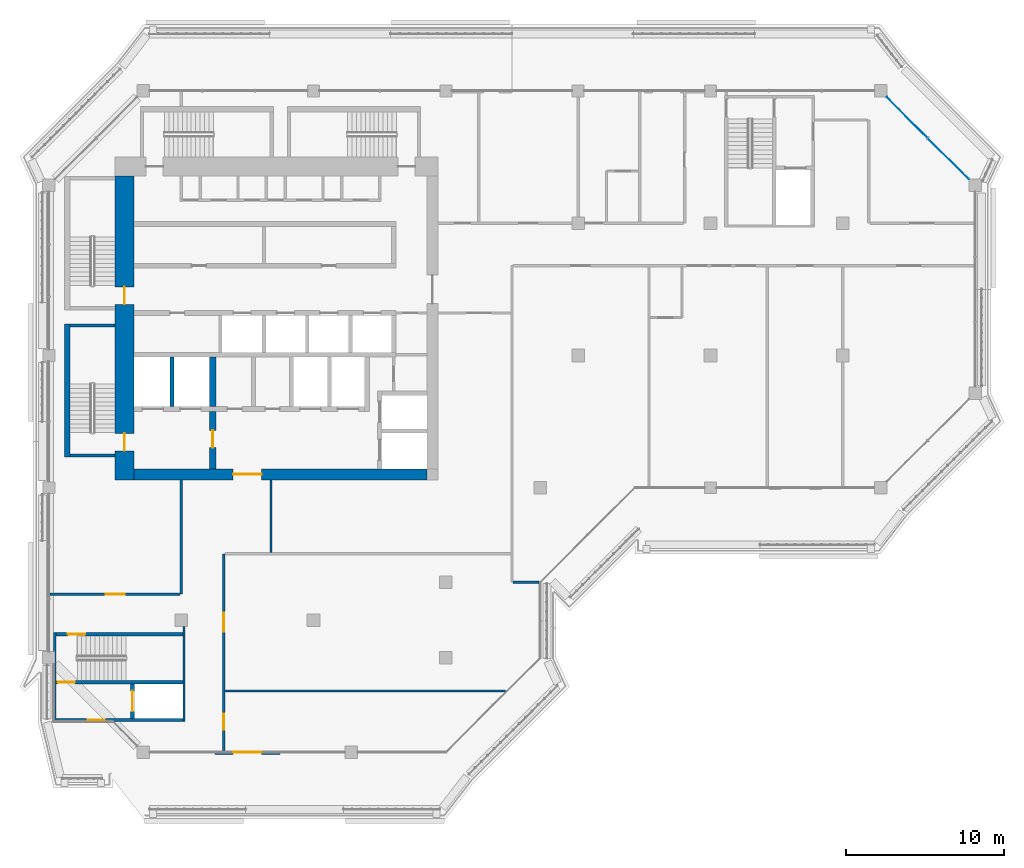
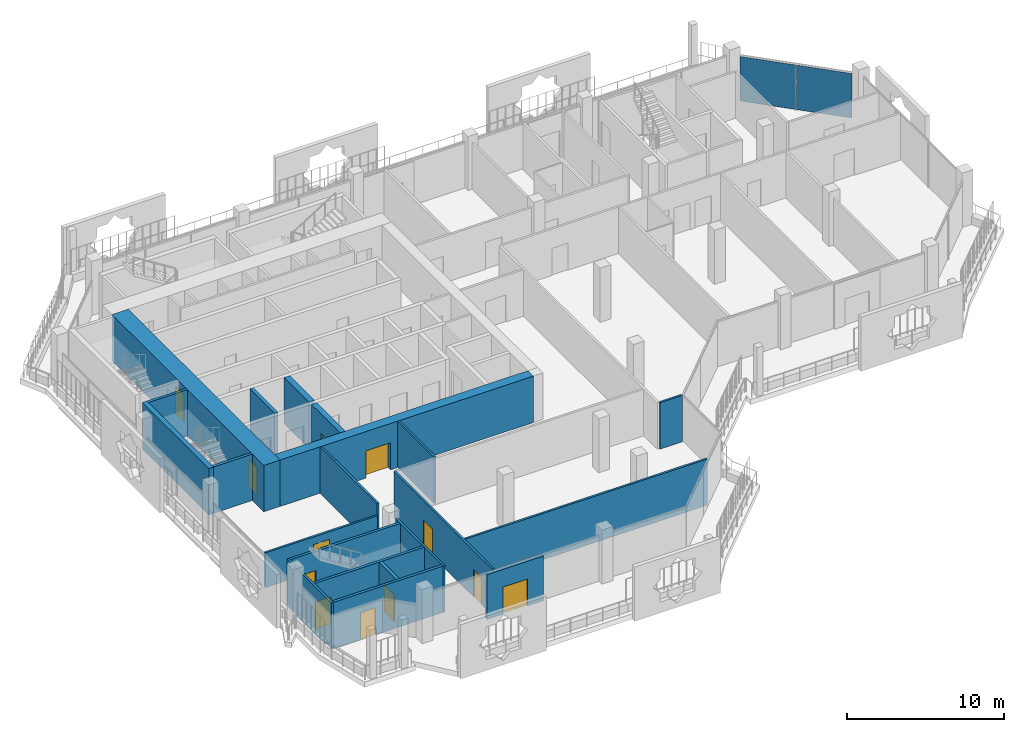
# One storey, part 10 of 21: 21 walls, 12 doors, 2 plates, 12 openings, 1 element without a shape of its own.
"""IFC4 building model written with IfcOpenShell, lengths in metres."""

from ifc_helpers import new_model, si_unit, direction, frame, frame_2d, origin, origin_2d, place, context, subcontext, project, spatial, rectangle, extrude, material, layer, layer_set, type_object, element, fill, aggregate, save


model = new_model("IFC4")

# Units and contexts
model_context = context("Model", 3, precision=1e-05, world=origin(), true_north=direction((0.0, 1.0)))
body_context = subcontext(model_context, "Body", "Model", "MODEL_VIEW")
ifc_project = project(units=[si_unit("LENGTHUNIT", "METRE"), si_unit("AREAUNIT", "SQUARE_METRE"), si_unit("VOLUMEUNIT", "CUBIC_METRE"), si_unit("PLANEANGLEUNIT", "RADIAN"), si_unit("MASSUNIT", "GRAM", prefix="KILO")], contexts=[model_context])

# Site, building, storey
site_placement = place(None, origin())
site = spatial("IfcSite", under=ifc_project, at=site_placement, CompositionType="ELEMENT")
building_placement = place(site_placement, origin())
building = spatial("IfcBuilding", under=site, at=building_placement, Name="Kawkab Arch Medical Tower", CompositionType="ELEMENT")
storey_placement = place(building_placement, frame((0.0, 0.0, 302.800048828125)))
storey = spatial("IfcBuildingStorey", under=building, at=storey_placement, Name="L70", CompositionType="ELEMENT", Elevation=302.800048828125)

# Curtain wall, plates
ifc_material_1 = material(Name="Bronze anodised aluminium curtain wall frame", Category="aluminium")
ifc_layer_1 = layer(ifc_material_1, 0.159912109375)
ifc_layer_set_1 = layer_set([ifc_layer_1], Name="Bronze anodised aluminium curtain wall frame")
curtain_wall_type = type_object("IfcCurtainWallType", Name="CW2 chamfer curtain wall", PredefinedType="NOTDEFINED", material=ifc_layer_set_1)
curtain_wall_placement = place(storey_placement, origin())
curtain_wall = element("IfcCurtainWall", 1, at=curtain_wall_placement, inside=storey, type_object=curtain_wall_type, Name="CW2 Chamfer curtain wall R14", PredefinedType="NOTDEFINED")
ifc_material_2 = material(Name="Tinted insulating glass, bronze low-e coating", Category="glass")
ifc_layer_2 = layer(ifc_material_2, 0.031982421875)
ifc_layer_set_2 = layer_set([ifc_layer_2], Name="Tinted insulating glass, bronze low-e coating")
plate_type = type_object("IfcPlateType", Name="CW2 glazing unit 32", PredefinedType="CURTAIN_PANEL", material=ifc_layer_set_2)
plate_1_placement = place(storey_placement, frame((57.110595703125, -4.310546875, 0.0), z_axis=(0.0, 0.0, 1.0), x_axis=(-0.707106781187, 0.707106781187, 0.0)))
plate_1 = element("IfcPlate", 2, at=plate_1_placement, type_object=plate_type, Name="CW2 glazing unit 1.1", PredefinedType="CURTAIN_PANEL", context=body_context, shape_type="SweptSolid", body=[
    extrude(rectangle(XDim=3.64697265625, YDim=0.031982421875, at=origin_2d()), origin(), (0.0, 0.0, 1.0), 3.4599609375),
])
plate_2_placement = place(storey_placement, frame((54.489501953125, -1.689453125, 0.0), z_axis=(0.0, 0.0, 1.0), x_axis=(-0.707106781187, 0.707106781187, 0.0)))
plate_2 = element("IfcPlate", 3, at=plate_2_placement, type_object=plate_type, Name="CW2 glazing unit 1.2", PredefinedType="CURTAIN_PANEL", context=body_context, shape_type="SweptSolid", body=[
    extrude(rectangle(XDim=3.64697265625, YDim=0.031982421875, at=origin_2d()), origin(), (0.0, 0.0, 1.0), 3.4599609375),
])
aggregate(curtain_wall, [plate_1, plate_2])

# Wall, openings, doors
ifc_material_3 = material(Name="Concrete C50/60", Category="concrete")
ifc_layer_3 = layer(ifc_material_3, 1.199951171875)
ifc_layer_set_3 = layer_set([ifc_layer_3], Name="Concrete C50/60")
wall_type_1 = type_object("IfcWallType", Name="Core ring wall 1200 C50/60", PredefinedType="SHEAR", material=ifc_layer_set_3)
wall_1_placement = place(storey_placement, frame((4.800048828125, -24.699951171875, 0.0), z_axis=(0.0, 0.0, 1.0), x_axis=(0.0, 1.0, 0.0)))
wall_1 = element("IfcWall", 4, at=wall_1_placement, inside=storey, type_object=wall_type_1, Name="L70 core wall", PredefinedType="SHEAR", context=body_context, shape_type="SweptSolid", body=[
    extrude(rectangle(XDim=19.300048828125, YDim=1.199951171875, at=frame_2d((9.64990234375, 0.0))), origin(), (0.0, 0.0, 1.0), 3.599853515625),
])
opening_1_placement = place(wall_1_placement, frame((11.14990234375, 0.0, 0.0)))
opening_1 = element("IfcOpeningElement", 5, at=opening_1_placement, cuts=wall_1, Name="Opening SD", PredefinedType="OPENING", context=body_context, shape_type="SweptSolid", body=[
    extrude(rectangle(XDim=1.10009765625, YDim=2.10009765625, at=frame_2d((0.550048828125, 1.050048828125))), frame((0.0, 0.60986328125, 0.0), z_axis=(0.0, -1.0, 0.0), x_axis=(1.0, 0.0, 0.0)), (0.0, 0.0, 1.0), 1.219970703125),
])
opening_2_placement = place(wall_1_placement, frame((1.85009765625, 0.0, 0.0)))
opening_2 = element("IfcOpeningElement", 6, at=opening_2_placement, cuts=wall_1, Name="Opening SD", PredefinedType="OPENING", context=body_context, shape_type="SweptSolid", body=[
    extrude(rectangle(XDim=1.10009765625, YDim=2.10009765625, at=frame_2d((0.550048828125, 1.050048828125))), frame((0.0, 0.60986328125, 0.0), z_axis=(0.0, -1.0, 0.0), x_axis=(1.0, 0.0, 0.0)), (0.0, 0.0, 1.0), 1.219970703125),
])
ifc_material_4 = material(Name="Hollow metal fire door leaf")
door_type_1 = type_object("IfcDoorType", Name="Exit stair door 1100", OperationType="SINGLE_SWING_LEFT", PredefinedType="DOOR", material=ifc_material_4)
door_1_placement = place(opening_1_placement, origin())
door_1 = element("IfcDoor", 7, at=door_1_placement, inside=storey, type_object=door_type_1, Name="L70 Exit stair ST1 door", OperationType="SINGLE_SWING_LEFT", OverallHeight=2.10009765625, OverallWidth=1.10009765625, PredefinedType="DOOR", context=body_context, shape_type="SweptSolid", body=[
    extrude(rectangle(XDim=1.10009765625, YDim=2.10009765625, at=frame_2d((0.550048828125, 1.050048828125))), frame((0.0, 0.02490234375, 0.0), z_axis=(0.0, -1.0, 0.0), x_axis=(1.0, 0.0, 0.0)), (0.0, 0.0, 1.0), 0.050048828125),
])
fill(opening_1, door_1)
door_2_placement = place(opening_2_placement, origin())
door_2 = element("IfcDoor", 8, at=door_2_placement, inside=storey, type_object=door_type_1, Name="L70 Exit stair ST2 door", OperationType="SINGLE_SWING_LEFT", OverallHeight=2.10009765625, OverallWidth=1.10009765625, PredefinedType="DOOR", context=body_context, shape_type="SweptSolid", body=[
    extrude(rectangle(XDim=1.10009765625, YDim=2.10009765625, at=frame_2d((0.550048828125, 1.050048828125))), frame((0.0, 0.02490234375, 0.0), z_axis=(0.0, -1.0, 0.0), x_axis=(1.0, 0.0, 0.0)), (0.0, 0.0, 1.0), 0.050048828125),
])
fill(opening_2, door_2)

# Wall, opening, door
ifc_material_5 = material(Name="Concrete C50/60", Category="concrete")
ifc_layer_4 = layer(ifc_material_5, 0.699951171875)
ifc_layer_set_4 = layer_set([ifc_layer_4], Name="Concrete C50/60")
wall_type_2 = type_object("IfcWallType", Name="Core ring wall 700 C50/60", PredefinedType="SHEAR", material=ifc_layer_set_4)
wall_2_placement = place(storey_placement, frame((5.39990234375, -24.35009765625, 0.0), z_axis=(0.0, 0.0, 1.0), x_axis=(1.0, 0.0, 0.0)))
wall_2 = element("IfcWall", 9, at=wall_2_placement, inside=storey, type_object=wall_type_2, Name="L70 core wall", PredefinedType="SHEAR", context=body_context, shape_type="SweptSolid", body=[
    extrude(rectangle(XDim=18.60009765625, YDim=0.699951171875, at=frame_2d((9.300048828125, 0.0))), origin(), (0.0, 0.0, 1.0), 3.599853515625),
])
opening_3_placement = place(wall_2_placement, frame((6.300048828125, 0.0, 0.0)))
opening_3 = element("IfcOpeningElement", 10, at=opening_3_placement, cuts=wall_2, Name="Opening PD", PredefinedType="OPENING", context=body_context, shape_type="SweptSolid", body=[
    extrude(rectangle(XDim=1.800048828125, YDim=2.10009765625, at=frame_2d((0.89990234375, 1.050048828125))), frame((0.0, 0.35986328125, 0.0), z_axis=(0.0, -1.0, 0.0), x_axis=(1.0, 0.0, 0.0)), (0.0, 0.0, 1.0), 0.719970703125),
])
ifc_material_6 = material(Name="Hollow metal fire door leaf")
door_type_2 = type_object("IfcDoorType", Name="Core entrance doors 1800", OperationType="DOUBLE_DOOR_SINGLE_SWING", PredefinedType="DOOR", material=ifc_material_6)
door_3_placement = place(opening_3_placement, origin())
door_3 = element("IfcDoor", 11, at=door_3_placement, inside=storey, type_object=door_type_2, Name="L70 South entrance doors", OperationType="DOUBLE_DOOR_SINGLE_SWING", OverallHeight=2.10009765625, OverallWidth=1.800048828125, PredefinedType="DOOR", context=body_context, shape_type="SweptSolid", body=[
    extrude(rectangle(XDim=1.800048828125, YDim=2.10009765625, at=frame_2d((0.89990234375, 1.050048828125))), frame((0.0, 0.02490234375, 0.0), z_axis=(0.0, -1.0, 0.0), x_axis=(1.0, 0.0, 0.0)), (0.0, 0.0, 1.0), 0.050048828125),
])
fill(opening_3, door_3)

# Wall
ifc_material_7 = material(Name="Concrete C60/75", Category="concrete")
ifc_layer_5 = layer(ifc_material_7, 0.25)
ifc_layer_set_5 = layer_set([ifc_layer_5], Name="Concrete C60/75")
wall_type_3 = type_object("IfcWallType", Name="Core shear wall 250 C60/75", PredefinedType="SHEAR", material=ifc_layer_set_5)
wall_3_placement = place(storey_placement, frame((7.800048828125, -20.050048828125, 0.0), z_axis=(0.0, 0.0, 1.0), x_axis=(0.0, 1.0, 0.0)))
element("IfcWall", 12, at=wall_3_placement, inside=storey, type_object=wall_type_3, Name="L70 core shear wall", PredefinedType="SHEAR", context=body_context, shape_type="SweptSolid", body=[
    extrude(rectangle(XDim=3.150146484375, YDim=0.25, at=frame_2d((1.5751953125, 0.0))), origin(), (0.0, 0.0, 1.0), 3.599853515625),
])

# Wall, opening, door
wall_4_placement = place(storey_placement, frame((5.300048828125, -39.85009765625, 0.0), z_axis=(0.0, 0.0, 1.0), x_axis=(0.0, 1.0, 0.0)))
wall_4 = element("IfcWall", 13, at=wall_4_placement, inside=storey, type_object=wall_type_3, Name="L70 core shear wall", PredefinedType="SHEAR", context=body_context, shape_type="SweptSolid", body=[
    extrude(rectangle(XDim=2.2001953125, YDim=0.25, at=frame_2d((1.10009765625, 0.0))), origin(), (0.0, 0.0, 1.0), 3.599853515625),
])
opening_4_placement = place(wall_4_placement, frame((0.449951171875, 0.0, 0.0)))
opening_4 = element("IfcOpeningElement", 14, at=opening_4_placement, cuts=wall_4, Name="Opening LD2", PredefinedType="OPENING", context=body_context, shape_type="SweptSolid", body=[
    extrude(rectangle(XDim=1.300048828125, YDim=2.10009765625, at=frame_2d((0.64990234375, 1.050048828125))), frame((0.0, 0.135009765625, 0.0), z_axis=(0.0, -1.0, 0.0), x_axis=(1.0, 0.0, 0.0)), (0.0, 0.0, 1.0), 0.27001953125),
])
ifc_material_8 = material(Name="Stainless steel lift door leaf", Category="steel")
door_type_3 = type_object("IfcDoorType", Name="Lift landing door 1300", OperationType="DOUBLE_DOOR_SLIDING", PredefinedType="DOOR", material=ifc_material_8)
door_4_placement = place(opening_4_placement, origin())
door_4 = element("IfcDoor", 15, at=door_4_placement, inside=storey, type_object=door_type_3, Name="L70 Lift landing door SV2", OperationType="DOUBLE_DOOR_SLIDING", OverallHeight=2.10009765625, OverallWidth=1.300048828125, PredefinedType="DOOR", context=body_context, shape_type="SweptSolid", body=[
    extrude(rectangle(XDim=1.300048828125, YDim=2.10009765625, at=frame_2d((0.64990234375, 1.050048828125))), frame((0.0, 0.02490234375, 0.0), z_axis=(0.0, -1.0, 0.0), x_axis=(1.0, 0.0, 0.0)), (0.0, 0.0, 1.0), 0.050048828125),
])
fill(opening_4, door_4)

ifc_material_9 = material(Name="Concrete C60/75", Category="concrete")
ifc_layer_6 = layer(ifc_material_9, 0.39990234375)
ifc_layer_set_6 = layer_set([ifc_layer_6], Name="Concrete C60/75")
wall_type_4 = type_object("IfcWallType", Name="Core shear wall 400 C60/75", PredefinedType="SHEAR", material=ifc_layer_set_6)
wall_5_placement = place(storey_placement, frame((10.39990234375, -24.0, 0.0), z_axis=(0.0, 0.0, 1.0), x_axis=(0.0, 1.0, 0.0)))
wall_5 = element("IfcWall", 16, at=wall_5_placement, inside=storey, type_object=wall_type_4, Name="L70 core shear wall", PredefinedType="SHEAR", context=body_context, shape_type="SweptSolid", body=[
    extrude(rectangle(XDim=3.64990234375, YDim=0.39990234375, at=frame_2d((1.824951171875, 0.0))), origin(), (0.0, 0.0, 1.0), 3.599853515625),
])
opening_5_placement = place(wall_5_placement, frame((1.35009765625, 0.0, 0.0)))
opening_5 = element("IfcOpeningElement", 17, at=opening_5_placement, cuts=wall_5, Name="Opening FD", PredefinedType="OPENING", context=body_context, shape_type="SweptSolid", body=[
    extrude(rectangle(XDim=1.10009765625, YDim=2.10009765625, at=frame_2d((0.550048828125, 1.050048828125))), frame((0.0, 0.2099609375, 0.0), z_axis=(0.0, -1.0, 0.0), x_axis=(1.0, 0.0, 0.0)), (0.0, 0.0, 1.0), 0.419921875),
])
ifc_material_10 = material(Name="Hollow metal fire door leaf")
door_type_4 = type_object("IfcDoorType", Name="Firefighting lobby door 1100", OperationType="SINGLE_SWING_LEFT", PredefinedType="DOOR", material=ifc_material_10)
door_5_placement = place(opening_5_placement, origin())
door_5 = element("IfcDoor", 18, at=door_5_placement, inside=storey, type_object=door_type_4, Name="L70 Firefighting lobby door", OperationType="SINGLE_SWING_LEFT", OverallHeight=2.10009765625, OverallWidth=1.10009765625, PredefinedType="DOOR", context=body_context, shape_type="SweptSolid", body=[
    extrude(rectangle(XDim=1.10009765625, YDim=2.10009765625, at=frame_2d((0.550048828125, 1.050048828125))), frame((0.0, 0.02490234375, 0.0), z_axis=(0.0, -1.0, 0.0), x_axis=(1.0, 0.0, 0.0)), (0.0, 0.0, 1.0), 0.050048828125),
])
fill(opening_5, door_5)

# Wall
wall_6_placement = place(storey_placement, frame((10.39990234375, -20.050048828125, 0.0), z_axis=(0.0, 0.0, 1.0), x_axis=(0.0, 1.0, 0.0)))
element("IfcWall", 19, at=wall_6_placement, inside=storey, type_object=wall_type_4, Name="L70 core shear wall", PredefinedType="SHEAR", context=body_context, shape_type="SweptSolid", body=[
    extrude(rectangle(XDim=3.150146484375, YDim=0.39990234375, at=frame_2d((1.5751953125, 0.0))), origin(), (0.0, 0.0, 1.0), 3.599853515625),
])

# Wall, opening, door
ifc_material_11 = material(Name="Bronze clad insulated wall panel")
ifc_layer_7 = layer(ifc_material_11, 0.25)
ifc_layer_set_7 = layer_set([ifc_layer_7], Name="Bronze clad insulated wall panel")
wall_type_5 = type_object("IfcWallType", Name="External wall bay 250", PredefinedType="SOLIDWALL", material=ifc_layer_set_7)
wall_7_placement = place(storey_placement, frame((10.533447265625, -42.0, 0.0), z_axis=(0.0, 0.0, 1.0), x_axis=(1.0, 0.0, 0.0)))
wall_7 = element("IfcWall", 20, at=wall_7_placement, inside=storey, type_object=wall_type_5, Name="External wall bay L70.R07.1.2", PredefinedType="SOLIDWALL", context=body_context, shape_type="SweptSolid", body=[
    extrude(rectangle(XDim=4.13330078125, YDim=0.25, at=frame_2d((2.066650390625, 0.0))), origin(), (0.0, 0.0, 1.0), 3.47998046875),
])
opening_6_placement = place(wall_7_placement, frame((1.166748046875, 0.0, 0.0)))
opening_6 = element("IfcOpeningElement", 21, at=opening_6_placement, cuts=wall_7, Name="Opening W70-701", PredefinedType="OPENING", context=body_context, shape_type="SweptSolid", body=[
    extrude(rectangle(XDim=1.800048828125, YDim=2.10009765625, at=frame_2d((0.89990234375, 1.050048828125))), frame((0.0, 0.135009765625, 0.0), z_axis=(0.0, -1.0, 0.0), x_axis=(1.0, 0.0, 0.0)), (0.0, 0.0, 1.0), 0.27001953125),
])
ifc_material_12 = material(Name="Bronze anodised aluminium door with tinted glass", Category="aluminium")
door_type_5 = type_object("IfcDoorType", Name="Double external door 1800 x 2100", OperationType="DOUBLE_DOOR_SINGLE_SWING", PredefinedType="DOOR", material=ifc_material_12)
door_6_placement = place(opening_6_placement, origin())
door_6 = element("IfcDoor", 22, at=door_6_placement, inside=storey, type_object=door_type_5, Name="External door L70.R07.1.2", OperationType="DOUBLE_DOOR_SINGLE_SWING", OverallHeight=2.10009765625, OverallWidth=1.800048828125, PredefinedType="DOOR", context=body_context, shape_type="SweptSolid", body=[
    extrude(rectangle(XDim=1.800048828125, YDim=2.10009765625, at=frame_2d((0.89990234375, 1.050048828125))), frame((0.0, 0.02490234375, 0.0), z_axis=(0.0, -1.0, 0.0), x_axis=(1.0, 0.0, 0.0)), (0.0, 0.0, 1.0), 0.050048828125),
])
fill(opening_6, door_6)

# Wall
ifc_material_13 = material(Name="Gypsum board partition on steel studs, mineral wool", Category="steel")
ifc_layer_8 = layer(ifc_material_13, 0.14990234375)
ifc_layer_set_8 = layer_set([ifc_layer_8], Name="Gypsum board partition on steel studs, mineral wool")
wall_type_6 = type_object("IfcWallType", Name="Partition 150", PredefinedType="PARTITIONING", material=ifc_layer_set_8)
wall_8_placement = place(storey_placement, frame((11.175048828125, -38.10009765625, 0.0), z_axis=(0.0, 0.0, 1.0), x_axis=(1.0, 0.0, 0.0)))
element("IfcWall", 23, at=wall_8_placement, inside=storey, type_object=wall_type_6, Name="Partition 150 w005", PredefinedType="PARTITIONING", context=body_context, shape_type="SweptSolid", body=[
    extrude(rectangle(XDim=17.81201171875, YDim=0.14990234375, at=frame_2d((8.906005859375, 0.0))), origin(), (0.0, 0.0, 1.0), 3.599853515625),
])

# Wall, opening, door
wall_9_placement = place(storey_placement, frame((0.080078125, -31.95703125, 0.0), z_axis=(0.0, 0.0, 1.0), x_axis=(1.0, 0.0, 0.0)))
wall_9 = element("IfcWall", 24, at=wall_9_placement, inside=storey, type_object=wall_type_6, Name="Partition 150 w006", PredefinedType="PARTITIONING", context=body_context, shape_type="SweptSolid", body=[
    extrude(rectangle(XDim=8.244873046875, YDim=0.14990234375, at=frame_2d((4.12255859375, 0.0))), origin(), (0.0, 0.0, 1.0), 2.699951171875),
])
opening_7_placement = place(wall_9_placement, frame((3.52001953125, 0.0, 0.0)))
opening_7 = element("IfcOpeningElement", 25, at=opening_7_placement, cuts=wall_9, Name="Opening W70-015", PredefinedType="OPENING", context=body_context, shape_type="SweptSolid", body=[
    extrude(rectangle(XDim=1.199951171875, YDim=2.10009765625, at=frame_2d((0.60009765625, 1.050048828125))), frame((0.0, 0.0849609375, 0.0), z_axis=(0.0, -1.0, 0.0), x_axis=(1.0, 0.0, 0.0)), (0.0, 0.0, 1.0), 0.169921875),
])
ifc_material_14 = material(Name="Hollow metal door leaf")
door_type_6 = type_object("IfcDoorType", Name="Single door 1200x2100 FD30S", OperationType="NOTDEFINED", PredefinedType="DOOR", material=ifc_material_14)
door_7_placement = place(opening_7_placement, origin())
door_7 = element("IfcDoor", 26, at=door_7_placement, inside=storey, type_object=door_type_6, Name="Door W70-015", OperationType="SINGLE_SWING_LEFT", OverallHeight=2.10009765625, OverallWidth=1.199951171875, PredefinedType="DOOR", context=body_context, shape_type="SweptSolid", body=[
    extrude(rectangle(XDim=1.199951171875, YDim=2.10009765625, at=frame_2d((0.60009765625, 1.050048828125))), frame((0.0, 0.02490234375, 0.0), z_axis=(0.0, -1.0, 0.0), x_axis=(1.0, 0.0, 0.0)), (0.0, 0.0, 1.0), 0.050048828125),
])
fill(opening_7, door_7)

# Walls
wall_10_placement = place(storey_placement, frame((29.47705078125, -31.199951171875, 0.0), z_axis=(0.0, 0.0, 1.0), x_axis=(1.0, 0.0, 0.0)))
element("IfcWall", 27, at=wall_10_placement, inside=storey, type_object=wall_type_6, Name="Partition 150 w007", PredefinedType="PARTITIONING", context=body_context, shape_type="SweptSolid", body=[
    extrude(rectangle(XDim=1.64306640625, YDim=0.14990234375, at=frame_2d((0.821533203125, 0.0))), origin(), (0.0, 0.0, 1.0), 3.599853515625),
])
wall_11_placement = place(storey_placement, frame((8.39990234375, -31.95703125, 0.0), z_axis=(0.0, 0.0, 1.0), x_axis=(0.0, 1.0, 0.0)))
element("IfcWall", 28, at=wall_11_placement, inside=storey, type_object=wall_type_6, Name="Partition 150 w014", PredefinedType="PARTITIONING", context=body_context, shape_type="SweptSolid", body=[
    extrude(rectangle(XDim=7.257080078125, YDim=0.14990234375, at=frame_2d((3.62841796875, 0.0))), origin(), (0.0, 0.0, 1.0), 3.599853515625),
])

# Wall, openings, doors
wall_12_placement = place(storey_placement, frame((11.10009765625, -41.919921875, 0.0), z_axis=(0.0, 0.0, 1.0), x_axis=(0.0, 1.0, 0.0)))
wall_12 = element("IfcWall", 29, at=wall_12_placement, inside=storey, type_object=wall_type_6, Name="Partition 150 w016", PredefinedType="PARTITIONING", context=body_context, shape_type="SweptSolid", body=[
    extrude(rectangle(XDim=12.52001953125, YDim=0.14990234375, at=frame_2d((6.260009765625, 0.0))), origin(), (0.0, 0.0, 1.0), 3.599853515625),
])
opening_8_placement = place(wall_12_placement, frame((7.570068359375, 0.0, 0.0)))
opening_8 = element("IfcOpeningElement", 30, at=opening_8_placement, cuts=wall_12, Name="Opening W70-016", PredefinedType="OPENING", context=body_context, shape_type="SweptSolid", body=[
    extrude(rectangle(XDim=1.199951171875, YDim=2.10009765625, at=frame_2d((0.60009765625, 1.050048828125))), frame((0.0, 0.0849609375, 0.0), z_axis=(0.0, -1.0, 0.0), x_axis=(1.0, 0.0, 0.0)), (0.0, 0.0, 1.0), 0.169921875),
])
opening_9_placement = place(wall_12_placement, frame((1.3701171875, 0.0, 0.0)))
opening_9 = element("IfcOpeningElement", 31, at=opening_9_placement, cuts=wall_12, Name="Opening W70-009", PredefinedType="OPENING", context=body_context, shape_type="SweptSolid", body=[
    extrude(rectangle(XDim=1.0, YDim=2.10009765625, at=frame_2d((0.5, 1.050048828125))), frame((0.0, 0.0849609375, 0.0), z_axis=(0.0, -1.0, 0.0), x_axis=(1.0, 0.0, 0.0)), (0.0, 0.0, 1.0), 0.169921875),
])
ifc_material_15 = material(Name="Hollow metal door leaf")
door_type_7 = type_object("IfcDoorType", Name="Single door 1000x2100 FD30S", OperationType="NOTDEFINED", PredefinedType="DOOR", material=ifc_material_15)
door_8_placement = place(opening_9_placement, origin())
door_8 = element("IfcDoor", 32, at=door_8_placement, inside=storey, type_object=door_type_7, Name="Door W70-009", OperationType="SINGLE_SWING_RIGHT", OverallHeight=2.10009765625, OverallWidth=1.0, PredefinedType="DOOR", context=body_context, shape_type="SweptSolid", body=[
    extrude(rectangle(XDim=1.0, YDim=2.10009765625, at=frame_2d((0.5, 1.050048828125))), frame((0.0, 0.02490234375, 0.0), z_axis=(0.0, -1.0, 0.0), x_axis=(1.0, 0.0, 0.0)), (0.0, 0.0, 1.0), 0.050048828125),
])
fill(opening_9, door_8)
door_9_placement = place(opening_8_placement, origin())
door_9 = element("IfcDoor", 33, at=door_9_placement, inside=storey, type_object=door_type_6, Name="Door W70-016", OperationType="SINGLE_SWING_LEFT", OverallHeight=2.10009765625, OverallWidth=1.199951171875, PredefinedType="DOOR", context=body_context, shape_type="SweptSolid", body=[
    extrude(rectangle(XDim=1.199951171875, YDim=2.10009765625, at=frame_2d((0.60009765625, 1.050048828125))), frame((0.0, 0.02490234375, 0.0), z_axis=(0.0, -1.0, 0.0), x_axis=(1.0, 0.0, 0.0)), (0.0, 0.0, 1.0), 0.050048828125),
])
fill(opening_8, door_9)

# Walls
wall_13_placement = place(storey_placement, frame((14.10009765625, -29.324951171875, 0.0), z_axis=(0.0, 0.0, 1.0), x_axis=(0.0, 1.0, 0.0)))
element("IfcWall", 34, at=wall_13_placement, inside=storey, type_object=wall_type_6, Name="Partition 150 w017", PredefinedType="PARTITIONING", context=body_context, shape_type="SweptSolid", body=[
    extrude(rectangle(XDim=4.625, YDim=0.14990234375, at=frame_2d((2.3125, 0.0))), origin(), (0.0, 0.0, 1.0), 3.599853515625),
])
ifc_material_16 = material(Name="Concrete C50/60", Category="concrete")
ifc_layer_9 = layer(ifc_material_16, 0.14990234375)
ifc_layer_set_9 = layer_set([ifc_layer_9], Name="Concrete C50/60")
wall_type_7 = type_object("IfcWallType", Name="Stair enclosure wall 150 C50/60", PredefinedType="SHEAR", material=ifc_layer_set_9)
wall_14_placement = place(storey_placement, frame((0.375, -40.050048828125, 0.0), z_axis=(0.0, 0.0, 1.0), x_axis=(0.0, 1.0, 0.0)))
element("IfcWall", 35, at=wall_14_placement, inside=storey, type_object=wall_type_7, Name="L70 stair enclosure wall", PredefinedType="SHEAR", context=body_context, shape_type="SweptSolid", body=[
    extrude(rectangle(XDim=5.650146484375, YDim=0.14990234375, at=frame_2d((2.8251953125, 0.0))), origin(), (0.0, 0.0, 1.0), 3.599853515625),
])
wall_15_placement = place(storey_placement, frame((8.574951171875, -40.050048828125, 0.0), z_axis=(0.0, 0.0, 1.0), x_axis=(0.0, 1.0, 0.0)))
element("IfcWall", 36, at=wall_15_placement, inside=storey, type_object=wall_type_7, Name="L70 stair enclosure wall", PredefinedType="SHEAR", context=body_context, shape_type="SweptSolid", body=[
    extrude(rectangle(XDim=6.050048828125, YDim=0.14990234375, at=frame_2d((3.02490234375, 0.0))), origin(), (0.0, 0.0, 1.0), 3.599853515625),
])
ifc_material_17 = material(Name="Concrete C50/60", Category="concrete")
ifc_layer_10 = layer(ifc_material_17, 0.199951171875)
ifc_layer_set_10 = layer_set([ifc_layer_10], Name="Concrete C50/60")
wall_type_8 = type_object("IfcWallType", Name="Stair enclosure wall 200 C50/60", PredefinedType="SHEAR", material=ifc_layer_set_10)
for number, where, z_axis, x_axis, name in (
    (37, (1.35009765625, -14.89990234375, 0.0), (0.0, 0.0, 1.0), (1.0, 0.0, 0.0), "L70 stair enclosure wall"),
    (38, (1.35009765625, -23.14990234375, 0.0), (0.0, 0.0, 1.0), (1.0, 0.0, 0.0), "L70 stair enclosure wall"),
):
    element("IfcWall", number, at=place(storey_placement, frame(where, z_axis=z_axis, x_axis=x_axis)), inside=storey, type_object=wall_type_8, Name=name, PredefinedType="SHEAR", context=body_context, shape_type="SweptSolid", body=[
        extrude(rectangle(XDim=2.849853515625, YDim=0.199951171875, at=frame_2d((1.4248046875, 0.0))), origin(), (0.0, 0.0, 1.0), 3.599853515625),
    ])

# Wall, opening, door
wall_16_placement = place(storey_placement, frame((0.449951171875, -34.5, 0.0), z_axis=(0.0, 0.0, 1.0), x_axis=(1.0, 0.0, 0.0)))
wall_16 = element("IfcWall", 39, at=wall_16_placement, inside=storey, type_object=wall_type_8, Name="L70 stair enclosure wall", PredefinedType="SHEAR", context=body_context, shape_type="SweptSolid", body=[
    extrude(rectangle(XDim=8.050048828125, YDim=0.199951171875, at=frame_2d((4.02490234375, 0.0))), origin(), (0.0, 0.0, 1.0), 3.599853515625),
])
opening_10_placement = place(wall_16_placement, frame((0.75, 0.0, 0.0)))
opening_10 = element("IfcOpeningElement", 40, at=opening_10_placement, cuts=wall_16, Name="Opening SD", PredefinedType="OPENING", context=body_context, shape_type="SweptSolid", body=[
    extrude(rectangle(XDim=1.10009765625, YDim=2.10009765625, at=frame_2d((0.550048828125, 1.050048828125))), frame((0.0, 0.10986328125, 0.0), z_axis=(0.0, -1.0, 0.0), x_axis=(1.0, 0.0, 0.0)), (0.0, 0.0, 1.0), 0.219970703125),
])
door_10_placement = place(opening_10_placement, origin())
door_10 = element("IfcDoor", 41, at=door_10_placement, inside=storey, type_object=door_type_1, Name="L70 Exit stair ST6 door", OperationType="SINGLE_SWING_LEFT", OverallHeight=2.10009765625, OverallWidth=1.10009765625, PredefinedType="DOOR", context=body_context, shape_type="SweptSolid", body=[
    extrude(rectangle(XDim=1.10009765625, YDim=2.10009765625, at=frame_2d((0.550048828125, 1.050048828125))), frame((0.0, 0.02490234375, 0.0), z_axis=(0.0, -1.0, 0.0), x_axis=(1.0, 0.0, 0.0)), (0.0, 0.0, 1.0), 0.050048828125),
])
fill(opening_10, door_10)

wall_17_placement = place(storey_placement, frame((0.449951171875, -37.550048828125, 0.0), z_axis=(0.0, 0.0, 1.0), x_axis=(1.0, 0.0, 0.0)))
wall_17 = element("IfcWall", 42, at=wall_17_placement, inside=storey, type_object=wall_type_8, Name="L70 stair enclosure wall", PredefinedType="SHEAR", context=body_context, shape_type="SweptSolid", body=[
    extrude(rectangle(XDim=8.050048828125, YDim=0.199951171875, at=frame_2d((4.02490234375, 0.0))), origin(), (0.0, 0.0, 1.0), 3.599853515625),
])
opening_11_placement = place(wall_17_placement, frame((0.10009765625, 0.0, 0.0)))
opening_11 = element("IfcOpeningElement", 43, at=opening_11_placement, cuts=wall_17, Name="Opening SD", PredefinedType="OPENING", context=body_context, shape_type="SweptSolid", body=[
    extrude(rectangle(XDim=1.10009765625, YDim=2.10009765625, at=frame_2d((0.550048828125, 1.050048828125))), frame((0.0, 0.10986328125, 0.0), z_axis=(0.0, -1.0, 0.0), x_axis=(1.0, 0.0, 0.0)), (0.0, 0.0, 1.0), 0.219970703125),
])
door_11_placement = place(opening_11_placement, frame((1.10009765625, 0.0, 0.0), z_axis=(0.0, 0.0, 1.0), x_axis=(-1.0, 0.0, 0.0)))
door_11 = element("IfcDoor", 44, at=door_11_placement, inside=storey, type_object=door_type_1, Name="L70 Exit stair ST6 lobby door", OperationType="SINGLE_SWING_LEFT", OverallHeight=2.10009765625, OverallWidth=1.10009765625, PredefinedType="DOOR", context=body_context, shape_type="SweptSolid", body=[
    extrude(rectangle(XDim=1.10009765625, YDim=2.10009765625, at=frame_2d((0.550048828125, 1.050048828125))), frame((0.0, 0.02490234375, 0.0), z_axis=(0.0, -1.0, 0.0), x_axis=(1.0, 0.0, 0.0)), (0.0, 0.0, 1.0), 0.050048828125),
])
fill(opening_11, door_11)

wall_18_placement = place(storey_placement, frame((0.449951171875, -39.949951171875, 0.0), z_axis=(0.0, 0.0, 1.0), x_axis=(1.0, 0.0, 0.0)))
wall_18 = element("IfcWall", 45, at=wall_18_placement, inside=storey, type_object=wall_type_8, Name="L70 stair enclosure wall", PredefinedType="SHEAR", context=body_context, shape_type="SweptSolid", body=[
    extrude(rectangle(XDim=8.050048828125, YDim=0.199951171875, at=frame_2d((4.02490234375, 0.0))), origin(), (0.0, 0.0, 1.0), 3.599853515625),
])
opening_12_placement = place(wall_18_placement, frame((2.0, 0.0, 0.0)))
opening_12 = element("IfcOpeningElement", 46, at=opening_12_placement, cuts=wall_18, Name="Opening FD", PredefinedType="OPENING", context=body_context, shape_type="SweptSolid", body=[
    extrude(rectangle(XDim=1.10009765625, YDim=2.10009765625, at=frame_2d((0.550048828125, 1.050048828125))), frame((0.0, 0.10986328125, 0.0), z_axis=(0.0, -1.0, 0.0), x_axis=(1.0, 0.0, 0.0)), (0.0, 0.0, 1.0), 0.219970703125),
])
door_12_placement = place(opening_12_placement, origin())
door_12 = element("IfcDoor", 47, at=door_12_placement, inside=storey, type_object=door_type_4, Name="L70 Service lift lobby door SV2", OperationType="SINGLE_SWING_LEFT", OverallHeight=2.10009765625, OverallWidth=1.10009765625, PredefinedType="DOOR", context=body_context, shape_type="SweptSolid", body=[
    extrude(rectangle(XDim=1.10009765625, YDim=2.10009765625, at=frame_2d((0.550048828125, 1.050048828125))), frame((0.0, 0.02490234375, 0.0), z_axis=(0.0, -1.0, 0.0), x_axis=(1.0, 0.0, 0.0)), (0.0, 0.0, 1.0), 0.050048828125),
])
fill(opening_12, door_12)

# Wall
ifc_material_18 = material(Name="Concrete C50/60", Category="concrete")
ifc_layer_11 = layer(ifc_material_18, 0.35009765625)
ifc_layer_set_11 = layer_set([ifc_layer_11], Name="Concrete C50/60")
wall_type_9 = type_object("IfcWallType", Name="Stair enclosure wall 350 C50/60", PredefinedType="SHEAR", material=ifc_layer_set_11)
wall_19_placement = place(storey_placement, frame((1.175048828125, -23.25, 0.0), z_axis=(0.0, 0.0, 1.0), x_axis=(0.0, 1.0, 0.0)))
element("IfcWall", 48, at=wall_19_placement, inside=storey, type_object=wall_type_9, Name="L70 stair enclosure wall", PredefinedType="SHEAR", context=body_context, shape_type="SweptSolid", body=[
    extrude(rectangle(XDim=8.449951171875, YDim=0.35009765625, at=frame_2d((4.22509765625, 0.0))), origin(), (0.0, 0.0, 1.0), 3.599853515625),
])

save(model, "model.ifc")
